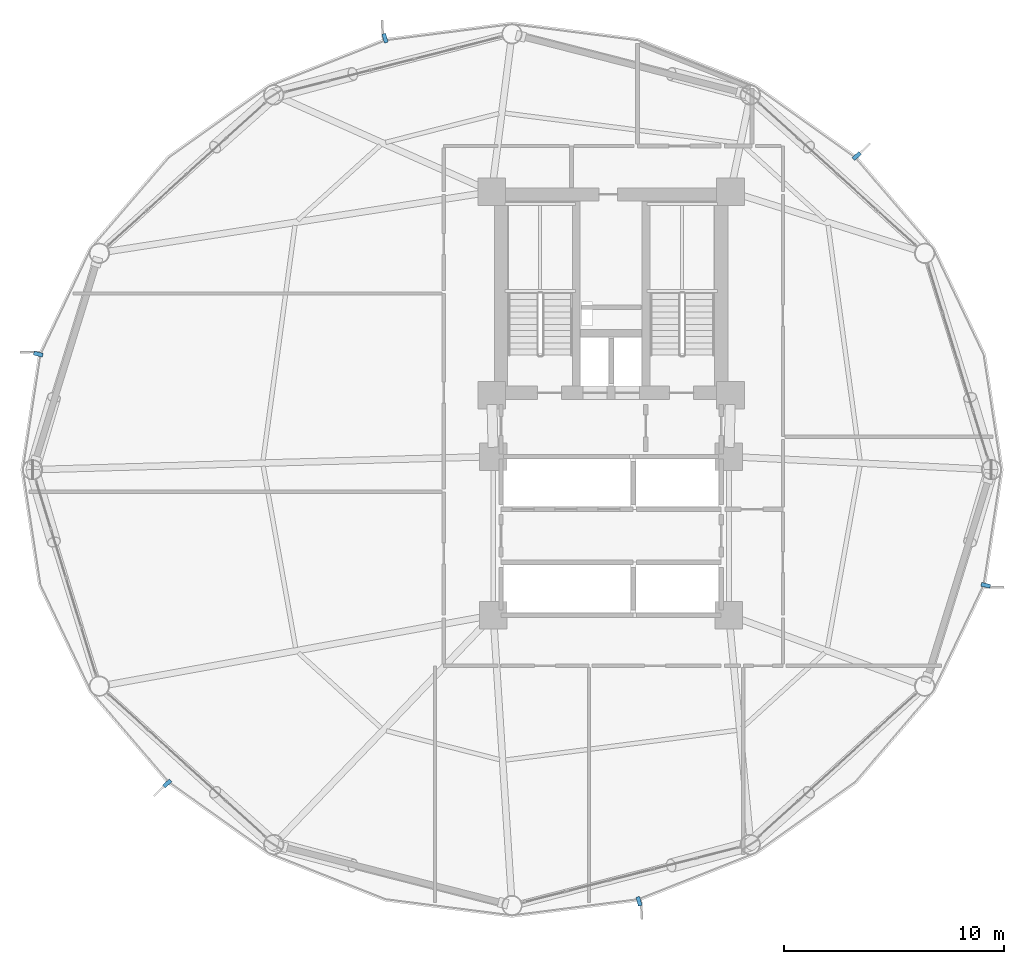
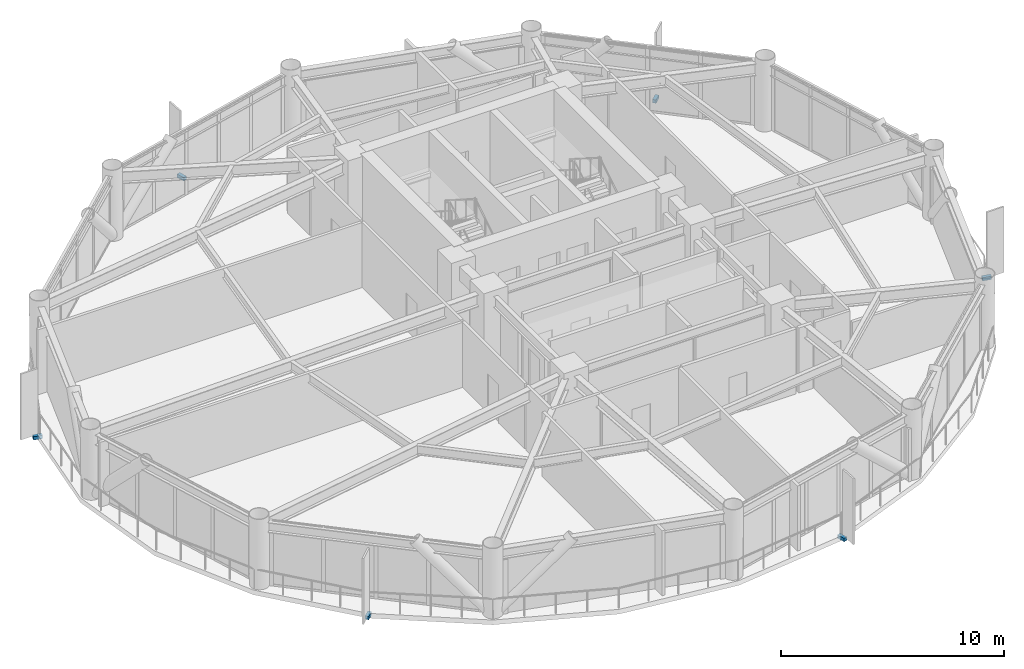
# One storey, part 22 of 25: 6 discrete accessories.
"""IFC4 building model written with IfcOpenShell, lengths in metres."""

import ifcopenshell
import ifcopenshell.guid

model = None  # the IFC model being written
_history = None  # IfcOwnerHistory: only IFC2X3 demands one
_inside = {}  # id of a spatial element -> (the spatial element, [elements in it])
_under = {}  # id of a project, library or spatial element -> (it, [spatial elements below it])
_declared = {}  # id of a project -> (the project, [libraries it declares])
_typed = {}  # id of a type object -> (the type object, [elements of that type])
_made_of = {}  # id of a material, layer set ... -> (it, [elements and type objects made of it])


def new_model(schema):
    """Start an empty IFC model of exactly this schema.

    Asked for "IFC4X3", IfcOpenShell would pick the latest addendum, in which some entities
    have other attributes; the version numbers below select the first issue.
    IFC2X3 requires an IfcOwnerHistory on every rooted entity: one is made here for all.
    """
    global model, _history
    if schema == "IFC4X3":
        model = ifcopenshell.file(schema_version=(4, 3, 0, 0))
    else:
        model = ifcopenshell.file(schema=schema)
    _inside.clear()
    _under.clear()
    _declared.clear()
    _typed.clear()
    _made_of.clear()
    _history = None
    if model.schema == "IFC2X3":
        org = make("IfcOrganization", Name="unknown")
        user = make(
            "IfcPersonAndOrganization",
            ThePerson=make("IfcPerson", FamilyName="unknown"),
            TheOrganization=org,
        )
        app = make(
            "IfcApplication",
            ApplicationDeveloper=org,
            Version="unknown",
            ApplicationFullName="unknown",
            ApplicationIdentifier="unknown",
        )
        _history = make(
            "IfcOwnerHistory",
            OwningUser=user,
            OwningApplication=app,
            ChangeAction="ADDED",
            CreationDate=0,
        )
    return model


def make(cls, **values):
    """One entity of the class cls with the attributes given. An attribute that is None is left unset."""
    return model.create_entity(
        cls, **{name: value for name, value in values.items() if value is not None}
    )


def rooted(cls, **values):
    """An entity with a GlobalId (a new one), such as an element, a storey or a relation."""
    return make(cls, GlobalId=ifcopenshell.guid.new(), OwnerHistory=_history, **values)


def si_unit(unit_type, name, prefix=None):
    """IfcSIUnit, for example si_unit("LENGTHUNIT", "METRE", prefix="MILLI")."""
    return make("IfcSIUnit", UnitType=unit_type, Prefix=prefix, Name=name)


def assignment(units):
    """IfcUnitAssignment: the units of a project."""
    return None if units is None else make("IfcUnitAssignment", Units=units)


def point(xyz):
    """IfcCartesianPoint."""
    return None if xyz is None else make("IfcCartesianPoint", Coordinates=xyz)


def direction(xyz):
    """IfcDirection."""
    return None if xyz is None else make("IfcDirection", DirectionRatios=xyz)


def frame(location, z_axis=None, x_axis=None):
    """IfcAxis2Placement3D, a coordinate frame: its origin and axes. An axis left out is left unset."""
    return make(
        "IfcAxis2Placement3D",
        Location=point(location),
        Axis=direction(z_axis),
        RefDirection=direction(x_axis),
    )


def frame_2d(location, x_axis=None):
    """IfcAxis2Placement2D, a coordinate frame in the plane: its origin and x axis."""
    return make(
        "IfcAxis2Placement2D", Location=point(location), RefDirection=direction(x_axis)
    )


def origin():
    """The frame at (0, 0, 0) with its axes left unset."""
    return frame((0.0, 0.0, 0.0))


def origin_2d():
    """The frame at (0, 0) in the plane with its x axis left unset."""
    return frame_2d((0.0, 0.0))


def place(relative_to, where):
    """IfcLocalPlacement: puts the frame where relative to a parent placement (None: the world)."""
    return make(
        "IfcLocalPlacement", PlacementRelTo=relative_to, RelativePlacement=where
    )


def context(
    kind, dimensions, precision=None, world=None, true_north=None, identifier=None
):
    """IfcGeometricRepresentationContext, for example the 3D "Model" context."""
    return make(
        "IfcGeometricRepresentationContext",
        ContextIdentifier=identifier,
        ContextType=kind,
        CoordinateSpaceDimension=dimensions,
        Precision=precision,
        WorldCoordinateSystem=world,
        TrueNorth=true_north,
    )


def subcontext(parent, identifier, kind, view, scale=None):
    """IfcGeometricRepresentationSubContext, for example "Body" below "Model"."""
    return make(
        "IfcGeometricRepresentationSubContext",
        ContextIdentifier=identifier,
        ContextType=kind,
        ParentContext=parent,
        TargetScale=scale,
        TargetView=view,
    )


def project(units=None, contexts=None):
    """IfcProject with its units and contexts."""
    return rooted(
        "IfcProject",
        Name="project",
        RepresentationContexts=contexts,
        UnitsInContext=assignment(units),
    )


def spatial(cls, under=None, at=None, **own):
    """A site, building, storey or space (cls), placed at a placement, below another one or the project."""
    s = rooted(cls, ObjectPlacement=at, **own)
    if under is not None:
        _under.setdefault(under.id(), (under, []))[1].append(s)
    return s


def profile(cls, at=None, kind="AREA", **sizes):
    """A parametric profile (cls). Its sizes go by their IFC names, for example OverallWidth=200.0."""
    return make(cls, ProfileType=kind, Position=at, **sizes)


def rectangle(**sizes):
    """IfcRectangleProfileDef."""
    return profile("IfcRectangleProfileDef", **sizes)


def extrude(swept, where, along, depth):
    """IfcExtrudedAreaSolid: the profile swept, set in the frame where, extruded along a direction by depth."""
    return make(
        "IfcExtrudedAreaSolid",
        SweptArea=swept,
        Position=where,
        ExtrudedDirection=direction(along),
        Depth=depth,
    )


def shape(context_of_items, identifier, shape_type, items):
    """IfcShapeRepresentation: the items that make up one representation, for example the "Body"."""
    return make(
        "IfcShapeRepresentation",
        ContextOfItems=context_of_items,
        RepresentationIdentifier=identifier,
        RepresentationType=shape_type,
        Items=items,
    )


def source(mapping_origin, context_of_items, identifier, shape_type, items):
    """IfcRepresentationMap: a shape defined once, which mapped items show again and again."""
    return make(
        "IfcRepresentationMap",
        MappingOrigin=mapping_origin,
        MappedRepresentation=shape(context_of_items, identifier, shape_type, items),
    )


def transform(
    local_origin,
    x_axis=None,
    y_axis=None,
    z_axis=None,
    scale=None,
    scale2=None,
    scale3=None,
    uniform=True,
):
    """IfcCartesianTransformationOperator3D, or its non-uniform kind. x_axis, y_axis, z_axis: its Axis1, 2, 3."""
    if uniform:
        return make(
            "IfcCartesianTransformationOperator3D",
            Axis1=direction(x_axis),
            Axis2=direction(y_axis),
            LocalOrigin=point(local_origin),
            Scale=scale,
            Axis3=direction(z_axis),
        )
    return make(
        "IfcCartesianTransformationOperator3DnonUniform",
        Axis1=direction(x_axis),
        Axis2=direction(y_axis),
        LocalOrigin=point(local_origin),
        Scale=scale,
        Axis3=direction(z_axis),
        Scale2=scale2,
        Scale3=scale3,
    )


def mapped(mapping_source, mapping_target):
    """IfcMappedItem: shows the shape of a source again, moved by a transform."""
    return make(
        "IfcMappedItem", MappingSource=mapping_source, MappingTarget=mapping_target
    )


def material(Name=None, Category=None):
    """IfcMaterial."""
    return make("IfcMaterial", Name=Name, Category=Category)


def made_of(thing, what):
    """Note that an element or type object is made of a material, layer set ...; save() writes the relation."""
    if what is not None:
        _made_of.setdefault(what.id(), (what, []))[1].append(thing)
    return thing


def type_object(cls, material=None, **own):
    """A type object (cls), such as IfcWallType, which elements share."""
    return made_of(rooted(cls, **own), material)


def type_shapes(of_type, sources):
    """Give a type object the sources (RepresentationMaps) that its elements show as mapped items."""
    of_type.RepresentationMaps = sources


def element(
    cls,
    number,
    at=None,
    inside=None,
    cuts=None,
    type_object=None,
    material=None,
    context=None,
    identifier="Body",
    shape_type=None,
    held_by="IfcProductDefinitionShape",
    body=None,
    shapes=None,
    **own,
):
    """One element of the class cls, such as IfcWall. Its Tag is "e" and its number.

    at: its placement. inside: the storey or other place that contains it. cuts: it is an
    opening in that element (IfcRelVoidsElement). A single representation is given by context,
    identifier, shape_type and body (its items); several are given by shapes. held_by: the class
    of the entity that holds the representations. save() writes the other relations.
    """
    e = rooted(cls, Tag="e%d" % number, ObjectPlacement=at, **own)
    if body is not None:
        shapes = [shape(context, identifier, shape_type, body)]
    if shapes is not None:
        e.Representation = make(held_by, Representations=shapes)
    if inside is not None:
        _inside.setdefault(inside.id(), (inside, []))[1].append(e)
    if cuts is not None:
        rooted(
            "IfcRelVoidsElement", RelatingBuildingElement=cuts, RelatedOpeningElement=e
        )
    if type_object is not None:
        _typed.setdefault(type_object.id(), (type_object, []))[1].append(e)
    return made_of(e, material)


def aggregate(whole, parts):
    """IfcRelAggregates: a whole, such as a stair, and the parts it consists of."""
    return rooted("IfcRelAggregates", RelatingObject=whole, RelatedObjects=parts)


def save(model, path):
    """Write the relations noted so far, then the file.

    IfcRelAggregates (storeys below a building ...), IfcRelContainedInSpatialStructure (elements
    in a storey), IfcRelDefinesByType, IfcRelAssociatesMaterial and IfcRelDeclares: one each for
    every whole, place, type object, material and project.
    """
    for whole, parts in _under.values():
        aggregate(whole, parts)
    for where, things in _inside.values():
        rooted(
            "IfcRelContainedInSpatialStructure",
            RelatedElements=things,
            RelatingStructure=where,
        )
    for kind, things in _typed.values():
        rooted("IfcRelDefinesByType", RelatedObjects=things, RelatingType=kind)
    for what, things in _made_of.values():
        rooted("IfcRelAssociatesMaterial", RelatedObjects=things, RelatingMaterial=what)
    for by, libraries in _declared.values():
        rooted("IfcRelDeclares", RelatingContext=by, RelatedDefinitions=libraries)
    model.write(path)


model = new_model("IFC4")

# Units and contexts
model_context = context("Model", 3, precision=1e-05, world=origin(), true_north=direction((0.0, 1.0)))
body_context = subcontext(model_context, "Body", "Model", "MODEL_VIEW")
ifc_project = project(units=[si_unit("LENGTHUNIT", "METRE"), si_unit("AREAUNIT", "SQUARE_METRE"), si_unit("VOLUMEUNIT", "CUBIC_METRE"), si_unit("PLANEANGLEUNIT", "RADIAN"), si_unit("MASSUNIT", "GRAM", prefix="KILO")], contexts=[model_context])

# Site, building, storey
site_placement = place(None, origin())
site = spatial("IfcSite", under=ifc_project, at=site_placement, CompositionType="ELEMENT")
building_placement = place(site_placement, origin())
building = spatial("IfcBuilding", under=site, at=building_placement, Name="Varnakorn Sky Granary", CompositionType="ELEMENT")
storey_placement = place(building_placement, frame((0.0, 0.0, 74.39990234375)))
storey = spatial("IfcBuildingStorey", under=building, at=storey_placement, Name="L18", CompositionType="ELEMENT", Elevation=74.39990234375)

# Discrete accessories
ifc_material = material(Name="Steel S355JR", Category="steel")
discrete_accessory_type = type_object("IfcDiscreteAccessoryType", Name="AC-BRK-01", PredefinedType="BRACKET", material=ifc_material)
shared_shape = source(origin(), body_context, "Body", "SweptSolid", [
    extrude(rectangle(XDim=0.179931640625, YDim=0.419921875, at=origin_2d()), origin(), (0.0, 0.0, 1.0), 0.179931640625),
])
type_shapes(discrete_accessory_type, [shared_shape])
for number, where, z_axis, x_axis, name in (
    (1, (14.153564453125, 14.244873046875, -0.19970703125), (0.0, 0.0, 1.0), (-0.673044271141, 0.739602196511, 0.0), "Facade Solar-Screen Outrigger Bracket L18-02"),
    (2, (-7.26611328125, 19.593994140625, -0.19970703125), (0.0, 0.0, 1.0), (-0.95932533943, -0.28230283939, 0.0), "Facade Solar-Screen Outrigger Bracket L18-04"),
    (3, (-23.009033203125, 5.247802734375, -0.19970703125), (0.0, 0.0, 1.0), (-0.237026538574, -0.971503175503, 0.0), "Facade Solar-Screen Outrigger Bracket L18-06"),
    (4, (-17.153564453125, -14.244873046875, -0.19970703125), (0.0, 0.0, 1.0), (0.673044271141, -0.739602196511, 0.0), "Facade Solar-Screen Outrigger Bracket L18-08"),
    (5, (4.26611328125, -19.593994140625, -0.19970703125), (0.0, 0.0, 1.0), (0.95932533943, 0.28230283939, 0.0), "Facade Solar-Screen Outrigger Bracket L18-10"),
    (6, (20.009033203125, -5.247802734375, -0.19970703125), (0.0, 0.0, 1.0), (0.237026538574, 0.971503175503, 0.0), "Facade Solar-Screen Outrigger Bracket L18-12"),
):
    element("IfcDiscreteAccessory", number, at=place(storey_placement, frame(where, z_axis=z_axis, x_axis=x_axis)), inside=storey, type_object=discrete_accessory_type, Name=name, PredefinedType="BRACKET", context=body_context, shape_type="MappedRepresentation", body=[
        mapped(shared_shape, transform((0.0, 0.0, 0.0), x_axis=(1.0, 0.0, 0.0), y_axis=(0.0, 1.0, 0.0), z_axis=(0.0, 0.0, 1.0), scale=1.0)),
    ])

save(model, "model.ifc")
